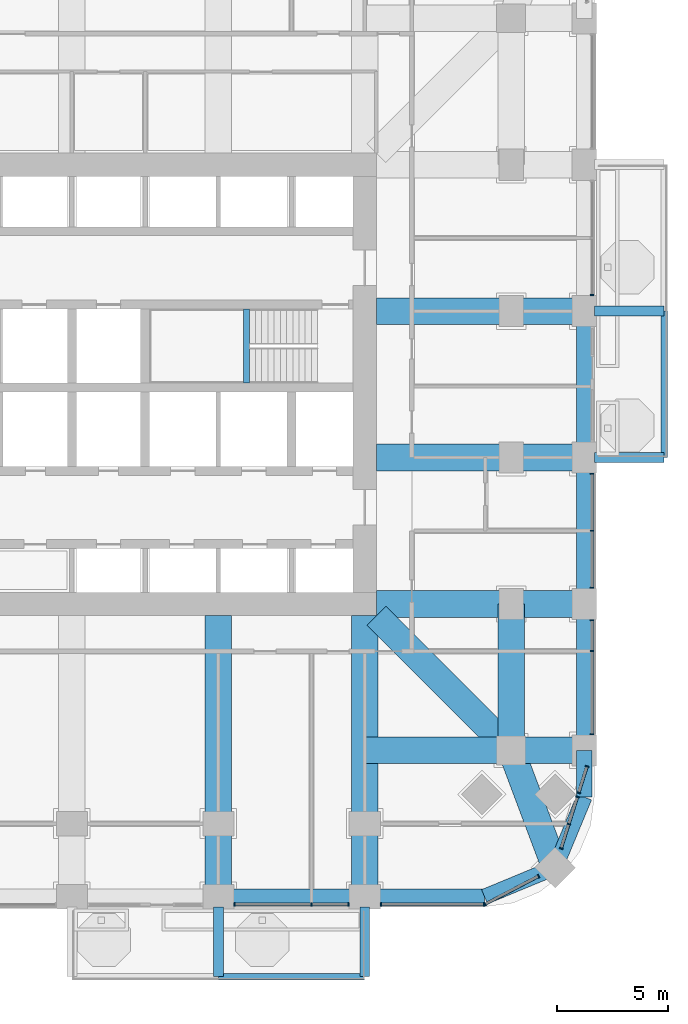
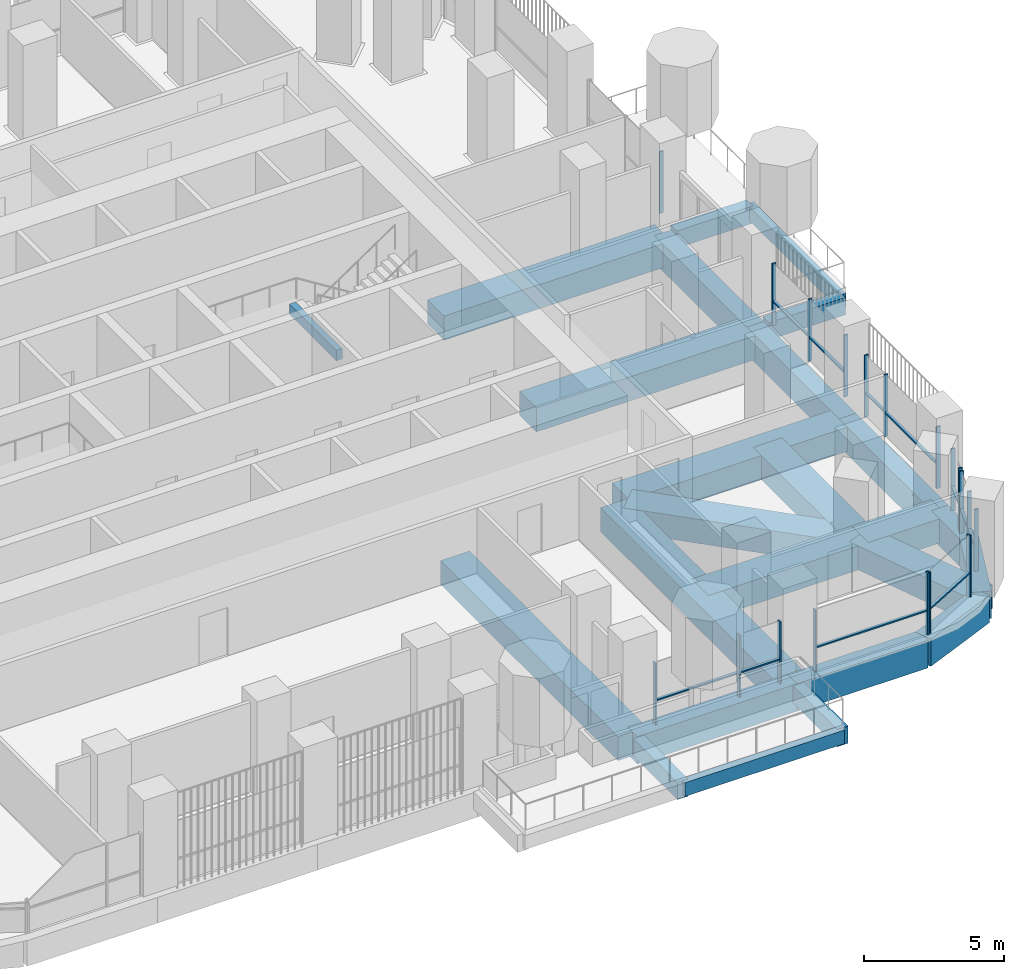
# One storey, part 5 of 22: 30 members, 25 beams, 8 elements without a shape of their own.
"""IFC4 building model written with IfcOpenShell, lengths in metres."""

from ifc_helpers import new_model, si_unit, direction, frame, origin, origin_2d, place, context, subcontext, project, spatial, rectangle, extrude, material, material_profile, profile_set, type_object, element, aggregate, save


model = new_model("IFC4")

# Units and contexts
model_context = context("Model", 3, precision=1e-05, world=origin(), true_north=direction((0.0, 1.0)))
body_context = subcontext(model_context, "Body", "Model", "MODEL_VIEW")
ifc_project = project(units=[si_unit("LENGTHUNIT", "METRE"), si_unit("AREAUNIT", "SQUARE_METRE"), si_unit("VOLUMEUNIT", "CUBIC_METRE"), si_unit("PLANEANGLEUNIT", "RADIAN"), si_unit("MASSUNIT", "GRAM", prefix="KILO")], contexts=[model_context])

# Site, building, storey
site_placement = place(None, origin())
site = spatial("IfcSite", under=ifc_project, at=site_placement, CompositionType="ELEMENT")
building_placement = place(site_placement, origin())
building = spatial("IfcBuilding", under=site, at=building_placement, Name="Cobogo Forest Laboratory Tower", CompositionType="ELEMENT")
storey_placement = place(building_placement, frame((0.0, 0.0, 120.0)))
storey = spatial("IfcBuildingStorey", under=building, at=storey_placement, Name="L27", CompositionType="ELEMENT", Elevation=120.0)

# Beams
ifc_material_1 = material(Name="Concrete HA-40 (C40/50)", Category="concrete")
ifc_material_profile_1 = material_profile(ifc_material_1, rectangle(XDim=0.449951171875, YDim=0.75, at=origin_2d()), Name="RC 450x750")
ifc_profile_set_1 = profile_set([ifc_material_profile_1], Name="Concrete HA-40 (C40/50)")
beam_type_1 = type_object("IfcBeamType", Name="Balcony cantilever beam 450x750", PredefinedType="BEAM", material=ifc_profile_set_1)
for number, where, z_axis, x_axis, name in (
    (1, (33.0, -0.449951171875, -0.625), (0.0, -1.0, 0.0), (1.0, 0.0, 0.0), "CB1 BAL-S1-C2 L27"),
    (2, (39.60009765625, -0.449951171875, -0.625), (0.0, -1.0, 0.0), (1.0, 0.0, 0.0), "CB1 BAL-S1-C3 L27"),
    (3, (49.949951171875, 19.800048828125, -0.625), (1.0, 0.0, 0.0), (0.0, 1.0, 0.0), "CB1 BAL-E1-C1 L27"),
    (4, (49.949951171875, 26.39990234375, -0.625), (1.0, 0.0, 0.0), (0.0, 1.0, 0.0), "CB1 BAL-E1-C2 L27"),
):
    element("IfcBeam", number, at=place(storey_placement, frame(where, z_axis=z_axis, x_axis=x_axis)), inside=storey, type_object=beam_type_1, Name=name, PredefinedType="BEAM", context=body_context, shape_type="SweptSolid", body=[
        extrude(rectangle(XDim=0.449951171875, YDim=0.75, at=origin_2d()), origin(), (0.0, 0.0, 1.0), 3.150146484375),
    ])
ifc_material_profile_2 = material_profile(ifc_material_1, rectangle(XDim=0.300048828125, YDim=0.60009765625, at=origin_2d()), Name="RC 300x600")
ifc_profile_set_2 = profile_set([ifc_material_profile_2], Name="Concrete HA-40 (C40/50)")
beam_type_2 = type_object("IfcBeamType", Name="Balcony edge beam 300x600", PredefinedType="BEAM", material=ifc_profile_set_2)
beam_1_placement = place(storey_placement, frame((33.0, -3.60009765625, -0.550048828125), z_axis=(1.0, 0.0, 0.0), x_axis=(0.0, 1.0, 0.0)))
element("IfcBeam", 5, at=beam_1_placement, inside=storey, type_object=beam_type_2, Name="BB1 BAL-S1-T2 L27", PredefinedType="BEAM", context=body_context, shape_type="SweptSolid", body=[
    extrude(rectangle(XDim=0.300048828125, YDim=0.60009765625, at=origin_2d()), origin(), (0.0, 0.0, 1.0), 6.60009765625),
])
beam_2_placement = place(storey_placement, frame((53.10009765625, 19.800048828125, -0.550048828125), z_axis=(0.0, 1.0, 0.0), x_axis=(-1.0, 0.0, 0.0)))
element("IfcBeam", 6, at=beam_2_placement, inside=storey, type_object=beam_type_2, Name="BB1 BAL-E1-T1 L27", PredefinedType="BEAM", context=body_context, shape_type="SweptSolid", body=[
    extrude(rectangle(XDim=0.300048828125, YDim=0.60009765625, at=origin_2d()), origin(), (0.0, 0.0, 1.0), 6.599853515625),
])
ifc_material_profile_3 = material_profile(ifc_material_1, rectangle(XDim=0.25, YDim=0.449951171875, at=origin_2d()), Name="RC 250x450")
ifc_profile_set_3 = profile_set([ifc_material_profile_3], Name="Concrete HA-40 (C40/50)")
beam_type_3 = type_object("IfcBeamType", Name="LB1 landing beam 250x450", PredefinedType="BEAM", material=ifc_profile_set_3)
beam_3_placement = place(storey_placement, frame((34.27001953125, 23.14990234375, 1.675048828125), z_axis=(0.0, 1.0, 0.0), x_axis=(-1.0, 0.0, 0.0)))
element("IfcBeam", 7, at=beam_3_placement, inside=storey, type_object=beam_type_3, Name="Landing beam ST2 L27", PredefinedType="BEAM", context=body_context, shape_type="SweptSolid", body=[
    extrude(rectangle(XDim=0.25, YDim=0.449951171875, at=origin_2d()), origin(), (0.0, 0.0, 1.0), 3.35009765625),
])
ifc_material_profile_4 = material_profile(ifc_material_1, rectangle(XDim=1.199951171875, YDim=1.050048828125, at=origin_2d()), Name="RC 1200x1050")
ifc_profile_set_4 = profile_set([ifc_material_profile_4], Name="Concrete HA-40 (C40/50)")
beam_type_4 = type_object("IfcBeamType", Name="Laboratory floor wide beam 1200x1050", PredefinedType="BEAM", material=ifc_profile_set_4)
for number, where, z_axis, x_axis, name in (
    (8, (33.0, 12.675048828125, -0.824951171875), (0.0, -1.0, 0.0), (1.0, 0.0, 0.0), "RB1 R-6-S L27"),
    (9, (39.60009765625, 12.675048828125, -0.824951171875), (0.0, -1.0, 0.0), (1.0, 0.0, 0.0), "RB1 R-7-S L27"),
):
    element("IfcBeam", number, at=place(storey_placement, frame(where, z_axis=z_axis, x_axis=x_axis)), inside=storey, type_object=beam_type_4, Name=name, PredefinedType="BEAM", context=body_context, shape_type="SweptSolid", body=[
        extrude(rectangle(XDim=1.199951171875, YDim=1.050048828125, at=origin_2d()), origin(), (0.0, 0.0, 1.0), 12.675048828125),
    ])
for number, where, z_axis, x_axis, name in (
    (10, (40.125, 13.199951171875, -0.824951171875), (1.0, 0.0, 0.0), (0.0, 1.0, 0.0), "RB1 R-C-E L27"),
    (11, (40.125, 19.800048828125, -0.824951171875), (1.0, 0.0, 0.0), (0.0, 1.0, 0.0), "RB1 R-D-E L27"),
    (12, (40.125, 26.39990234375, -0.824951171875), (1.0, 0.0, 0.0), (0.0, 1.0, 0.0), "RB1 R-E-E L27"),
):
    element("IfcBeam", number, at=place(storey_placement, frame(where, z_axis=z_axis, x_axis=x_axis)), inside=storey, type_object=beam_type_4, Name=name, PredefinedType="BEAM", context=body_context, shape_type="SweptSolid", body=[
        extrude(rectangle(XDim=1.199951171875, YDim=1.050048828125, at=origin_2d()), origin(), (0.0, 0.0, 1.0), 9.375),
    ])
beam_4_placement = place(storey_placement, frame((46.199951171875, 6.60009765625, -0.824951171875), z_axis=(0.0, 1.0, 0.0), x_axis=(-1.0, 0.0, 0.0)))
element("IfcBeam", 13, at=beam_4_placement, inside=storey, type_object=beam_type_4, Name="RB1 G-SE-XC L27", PredefinedType="BEAM", context=body_context, shape_type="SweptSolid", body=[
    extrude(rectangle(XDim=1.199951171875, YDim=1.050048828125, at=origin_2d()), origin(), (0.0, 0.0, 1.0), 6.599853515625),
])
beam_5_placement = place(storey_placement, frame((49.5, 6.60009765625, -0.824951171875), z_axis=(-1.0, 0.0, 0.0), x_axis=(0.0, -1.0, 0.0)))
element("IfcBeam", 14, at=beam_5_placement, inside=storey, type_object=beam_type_4, Name="RB1 G-SE-YF L27", PredefinedType="BEAM", context=body_context, shape_type="SweptSolid", body=[
    extrude(rectangle(XDim=1.199951171875, YDim=1.050048828125, at=origin_2d()), origin(), (0.0, 0.0, 1.0), 3.300048828125),
])
beam_6_placement = place(storey_placement, frame((46.199951171875, 6.60009765625, -0.824951171875), z_axis=(-1.0, 0.0, 0.0), x_axis=(0.0, -1.0, 0.0)))
element("IfcBeam", 15, at=beam_6_placement, inside=storey, type_object=beam_type_4, Name="RB1 G-SE-YC L27", PredefinedType="BEAM", context=body_context, shape_type="SweptSolid", body=[
    extrude(rectangle(XDim=1.199951171875, YDim=1.050048828125, at=origin_2d()), origin(), (0.0, 0.0, 1.0), 6.599853515625),
])
beam_7_placement = place(storey_placement, frame((48.181884765625, 1.318115234375, -0.824951171875), z_axis=(-0.351308391925, 0.936259800356, 0.0), x_axis=(-0.936259800356, -0.351308391925, 0.0)))
element("IfcBeam", 16, at=beam_7_placement, inside=storey, type_object=beam_type_4, Name="RB1 G-SE-D1 L27", PredefinedType="BEAM", context=body_context, shape_type="SweptSolid", body=[
    extrude(rectangle(XDim=1.199951171875, YDim=1.050048828125, at=origin_2d()), origin(), (0.0, 0.0, 1.0), 5.6416015625),
])
beam_8_placement = place(storey_placement, frame((46.199951171875, 6.60009765625, -0.824951171875), z_axis=(-0.707106781187, 0.707106781187, 0.0), x_axis=(-0.707106781187, -0.707106781187, 0.0)))
element("IfcBeam", 17, at=beam_8_placement, inside=storey, type_object=beam_type_4, Name="RB1 G-SE-D2 L27", PredefinedType="BEAM", context=body_context, shape_type="SweptSolid", body=[
    extrude(rectangle(XDim=1.199951171875, YDim=1.050048828125, at=origin_2d()), origin(), (0.0, 0.0, 1.0), 8.59130859375),
])

# Curtain wall, members
ifc_material_2 = material(Name="Aluminium curtain wall", Category="aluminium")
curtain_wall_type = type_object("IfcCurtainWallType", Name="CW-1 unitised curtain wall, clear glazing, laboratory floors zones A and B", PredefinedType="USERDEFINED", material=ifc_material_2)
curtain_wall_1_placement = place(storey_placement, origin())
curtain_wall_1 = element("IfcCurtainWall", 18, at=curtain_wall_1_placement, inside=storey, type_object=curtain_wall_type, Name="Curtain wall 05 L27", ObjectType="UNITISED CURTAIN WALL", PredefinedType="USERDEFINED")
ifc_material_3 = material(Name="Aluminium mullion", Category="aluminium")
ifc_material_profile_5 = material_profile(ifc_material_3, rectangle(XDim=0.06005859375, YDim=0.159912109375, at=origin_2d()), Name="AL 60x160")
ifc_profile_set_5 = profile_set([ifc_material_profile_5], Name="Aluminium mullion")
member_type_1 = type_object("IfcMemberType", Name="MU-1 aluminium mullion 60x160", PredefinedType="MULLION", material=ifc_profile_set_5)
member_1_placement = place(storey_placement, frame((33.72998046875, -0.35009765625, 0.0), z_axis=(0.0, 0.0, 1.0), x_axis=(1.0, 0.0, 0.0)))
member_1 = element("IfcMember", 19, at=member_1_placement, type_object=member_type_1, Name="CW-1 mullion 1", PredefinedType="MULLION", context=body_context, shape_type="SweptSolid", body=[
    extrude(rectangle(XDim=0.06005859375, YDim=0.159912109375, at=origin_2d()), origin(), (0.0, 0.0, 1.0), 2.699951171875),
])
member_2_placement = place(storey_placement, frame((37.199951171875, -0.35009765625, 0.0), z_axis=(0.0, 0.0, 1.0), x_axis=(1.0, 0.0, 0.0)))
member_2 = element("IfcMember", 20, at=member_2_placement, type_object=member_type_1, Name="CW-1 mullion 2", PredefinedType="MULLION", context=body_context, shape_type="SweptSolid", body=[
    extrude(rectangle(XDim=0.06005859375, YDim=0.159912109375, at=origin_2d()), origin(), (0.0, 0.0, 1.0), 2.699951171875),
])
member_3_placement = place(storey_placement, frame((38.8701171875, -0.35009765625, 0.0), z_axis=(0.0, 0.0, 1.0), x_axis=(1.0, 0.0, 0.0)))
member_3 = element("IfcMember", 21, at=member_3_placement, type_object=member_type_1, Name="CW-1 mullion 3", PredefinedType="MULLION", context=body_context, shape_type="SweptSolid", body=[
    extrude(rectangle(XDim=0.06005859375, YDim=0.159912109375, at=origin_2d()), origin(), (0.0, 0.0, 1.0), 2.699951171875),
])

curtain_wall_2_placement = place(storey_placement, origin())
curtain_wall_2 = element("IfcCurtainWall", 22, at=curtain_wall_2_placement, inside=storey, type_object=curtain_wall_type, Name="Curtain wall 06 L27", ObjectType="UNITISED CURTAIN WALL", PredefinedType="USERDEFINED")
member_4_placement = place(storey_placement, frame((40.330078125, -0.35009765625, 0.0), z_axis=(0.0, 0.0, 1.0), x_axis=(1.0, 0.0, 0.0)))
member_4 = element("IfcMember", 23, at=member_4_placement, type_object=member_type_1, Name="CW-1 mullion 1", PredefinedType="MULLION", context=body_context, shape_type="SweptSolid", body=[
    extrude(rectangle(XDim=0.06005859375, YDim=0.159912109375, at=origin_2d()), origin(), (0.0, 0.0, 1.0), 2.699951171875),
])
member_5_placement = place(storey_placement, frame((44.969970703125, -0.35009765625, 0.0), z_axis=(0.0, 0.0, 1.0), x_axis=(1.0, 0.0, 0.0)))
member_5 = element("IfcMember", 24, at=member_5_placement, type_object=member_type_1, Name="CW-1 mullion 2", PredefinedType="MULLION", context=body_context, shape_type="SweptSolid", body=[
    extrude(rectangle(XDim=0.06005859375, YDim=0.159912109375, at=origin_2d()), origin(), (0.0, 0.0, 1.0), 2.699951171875),
])

curtain_wall_3_placement = place(storey_placement, origin())
curtain_wall_3 = element("IfcCurtainWall", 25, at=curtain_wall_3_placement, inside=storey, type_object=curtain_wall_type, Name="Curtain wall 07 L27", ObjectType="UNITISED CURTAIN WALL", PredefinedType="USERDEFINED")
member_6_placement = place(storey_placement, frame((45.026611328125, -0.336181640625, 0.0), z_axis=(0.0, 0.0, 1.0), x_axis=(0.885686547075, 0.464283685186, 0.0)))
member_6 = element("IfcMember", 26, at=member_6_placement, type_object=member_type_1, Name="CW-1 mullion 1", PredefinedType="MULLION", context=body_context, shape_type="SweptSolid", body=[
    extrude(rectangle(XDim=0.06005859375, YDim=0.159912109375, at=origin_2d()), origin(), (0.0, 0.0, 1.0), 2.699951171875),
])
member_7_placement = place(storey_placement, frame((47.431640625, 0.9248046875, 0.0), z_axis=(0.0, 0.0, 1.0), x_axis=(0.885686547075, 0.464283685186, 0.0)))
member_7 = element("IfcMember", 27, at=member_7_placement, type_object=member_type_1, Name="CW-1 mullion 2", PredefinedType="MULLION", context=body_context, shape_type="SweptSolid", body=[
    extrude(rectangle(XDim=0.06005859375, YDim=0.159912109375, at=origin_2d()), origin(), (0.0, 0.0, 1.0), 2.699951171875),
])

curtain_wall_4_placement = place(storey_placement, origin())
curtain_wall_4 = element("IfcCurtainWall", 28, at=curtain_wall_4_placement, inside=storey, type_object=curtain_wall_type, Name="Curtain wall 08 L27", ObjectType="UNITISED CURTAIN WALL", PredefinedType="USERDEFINED")
member_8_placement = place(storey_placement, frame((48.455810546875, 2.18505859375, 0.0), z_axis=(0.0, 0.0, 1.0), x_axis=(0.301135291996, 0.953581425949, 0.0)))
member_8 = element("IfcMember", 29, at=member_8_placement, type_object=member_type_1, Name="CW-1 mullion 1", PredefinedType="MULLION", context=body_context, shape_type="SweptSolid", body=[
    extrude(rectangle(XDim=0.06005859375, YDim=0.159912109375, at=origin_2d()), origin(), (0.0, 0.0, 1.0), 2.699951171875),
])
member_9_placement = place(storey_placement, frame((48.80029296875, 3.27587890625, 0.0), z_axis=(0.0, 0.0, 1.0), x_axis=(0.301135291996, 0.953581425949, 0.0)))
member_9 = element("IfcMember", 30, at=member_9_placement, type_object=member_type_1, Name="CW-1 mullion 2", PredefinedType="MULLION", context=body_context, shape_type="SweptSolid", body=[
    extrude(rectangle(XDim=0.06005859375, YDim=0.159912109375, at=origin_2d()), origin(), (0.0, 0.0, 1.0), 2.699951171875),
])
member_10_placement = place(storey_placement, frame((49.18701171875, 4.500244140625, 0.0), z_axis=(0.0, 0.0, 1.0), x_axis=(0.301135291996, 0.953581425949, 0.0)))
member_10 = element("IfcMember", 31, at=member_10_placement, type_object=member_type_1, Name="CW-1 mullion 3", PredefinedType="MULLION", context=body_context, shape_type="SweptSolid", body=[
    extrude(rectangle(XDim=0.06005859375, YDim=0.159912109375, at=origin_2d()), origin(), (0.0, 0.0, 1.0), 2.699951171875),
])

curtain_wall_5_placement = place(storey_placement, origin())
curtain_wall_5 = element("IfcCurtainWall", 32, at=curtain_wall_5_placement, inside=storey, type_object=curtain_wall_type, Name="Curtain wall 09 L27", ObjectType="UNITISED CURTAIN WALL", PredefinedType="USERDEFINED")
member_11_placement = place(storey_placement, frame((49.247802734375, 4.69287109375, 0.0), z_axis=(0.0, 0.0, 1.0), x_axis=(0.301135356805, 0.953581405483, 0.0)))
member_11 = element("IfcMember", 33, at=member_11_placement, type_object=member_type_1, Name="CW-1 mullion 1", PredefinedType="MULLION", context=body_context, shape_type="SweptSolid", body=[
    extrude(rectangle(XDim=0.06005859375, YDim=0.159912109375, at=origin_2d()), origin(), (0.0, 0.0, 1.0), 2.699951171875),
])
member_12_placement = place(storey_placement, frame((49.619873046875, 5.871337890625, 0.0), z_axis=(0.0, 0.0, 1.0), x_axis=(0.301135356805, 0.953581405483, 0.0)))
member_12 = element("IfcMember", 34, at=member_12_placement, type_object=member_type_1, Name="CW-1 mullion 2", PredefinedType="MULLION", context=body_context, shape_type="SweptSolid", body=[
    extrude(rectangle(XDim=0.06005859375, YDim=0.159912109375, at=origin_2d()), origin(), (0.0, 0.0, 1.0), 2.699951171875),
])

curtain_wall_6_placement = place(storey_placement, origin())
curtain_wall_6 = element("IfcCurtainWall", 35, at=curtain_wall_6_placement, inside=storey, type_object=curtain_wall_type, Name="Curtain wall 10 L27", ObjectType="UNITISED CURTAIN WALL", PredefinedType="USERDEFINED")
member_13_placement = place(storey_placement, frame((49.85009765625, 7.330078125, 0.0), z_axis=(0.0, 0.0, 1.0), x_axis=(0.0, 1.0, 0.0)))
member_13 = element("IfcMember", 36, at=member_13_placement, type_object=member_type_1, Name="CW-1 mullion 1", PredefinedType="MULLION", context=body_context, shape_type="SweptSolid", body=[
    extrude(rectangle(XDim=0.06005859375, YDim=0.159912109375, at=origin_2d()), origin(), (0.0, 0.0, 1.0), 2.699951171875),
])
member_14_placement = place(storey_placement, frame((49.85009765625, 11.074951171875, 0.0), z_axis=(0.0, 0.0, 1.0), x_axis=(0.0, 1.0, 0.0)))
member_14 = element("IfcMember", 37, at=member_14_placement, type_object=member_type_1, Name="CW-1 mullion 2", PredefinedType="MULLION", context=body_context, shape_type="SweptSolid", body=[
    extrude(rectangle(XDim=0.06005859375, YDim=0.159912109375, at=origin_2d()), origin(), (0.0, 0.0, 1.0), 2.699951171875),
])
member_15_placement = place(storey_placement, frame((49.85009765625, 12.469970703125, 0.0), z_axis=(0.0, 0.0, 1.0), x_axis=(0.0, 1.0, 0.0)))
member_15 = element("IfcMember", 38, at=member_15_placement, type_object=member_type_1, Name="CW-1 mullion 3", PredefinedType="MULLION", context=body_context, shape_type="SweptSolid", body=[
    extrude(rectangle(XDim=0.06005859375, YDim=0.159912109375, at=origin_2d()), origin(), (0.0, 0.0, 1.0), 2.699951171875),
])

curtain_wall_7_placement = place(storey_placement, origin())
curtain_wall_7 = element("IfcCurtainWall", 39, at=curtain_wall_7_placement, inside=storey, type_object=curtain_wall_type, Name="Curtain wall 11 L27", ObjectType="UNITISED CURTAIN WALL", PredefinedType="USERDEFINED")
member_16_placement = place(storey_placement, frame((49.85009765625, 13.929931640625, 0.0), z_axis=(0.0, 0.0, 1.0), x_axis=(0.0, 1.0, 0.0)))
member_16 = element("IfcMember", 40, at=member_16_placement, type_object=member_type_1, Name="CW-1 mullion 1", PredefinedType="MULLION", context=body_context, shape_type="SweptSolid", body=[
    extrude(rectangle(XDim=0.06005859375, YDim=0.159912109375, at=origin_2d()), origin(), (0.0, 0.0, 1.0), 2.699951171875),
])
member_17_placement = place(storey_placement, frame((49.85009765625, 16.5, 0.0), z_axis=(0.0, 0.0, 1.0), x_axis=(0.0, 1.0, 0.0)))
member_17 = element("IfcMember", 41, at=member_17_placement, type_object=member_type_1, Name="CW-1 mullion 2", PredefinedType="MULLION", context=body_context, shape_type="SweptSolid", body=[
    extrude(rectangle(XDim=0.06005859375, YDim=0.159912109375, at=origin_2d()), origin(), (0.0, 0.0, 1.0), 2.699951171875),
])
member_18_placement = place(storey_placement, frame((49.85009765625, 19.070068359375, 0.0), z_axis=(0.0, 0.0, 1.0), x_axis=(0.0, 1.0, 0.0)))
member_18 = element("IfcMember", 42, at=member_18_placement, type_object=member_type_1, Name="CW-1 mullion 3", PredefinedType="MULLION", context=body_context, shape_type="SweptSolid", body=[
    extrude(rectangle(XDim=0.06005859375, YDim=0.159912109375, at=origin_2d()), origin(), (0.0, 0.0, 1.0), 2.699951171875),
])

# Curtain wall, member
curtain_wall_8_placement = place(storey_placement, origin())
curtain_wall_8 = element("IfcCurtainWall", 43, at=curtain_wall_8_placement, inside=storey, type_object=curtain_wall_type, Name="Curtain wall 13 L27", ObjectType="UNITISED CURTAIN WALL", PredefinedType="USERDEFINED")
member_19_placement = place(storey_placement, frame((49.85009765625, 27.1298828125, 0.0), z_axis=(0.0, 0.0, 1.0), x_axis=(0.0, 1.0, 0.0)))
member_19 = element("IfcMember", 44, at=member_19_placement, type_object=member_type_1, Name="CW-1 mullion 1", PredefinedType="MULLION", context=body_context, shape_type="SweptSolid", body=[
    extrude(rectangle(XDim=0.06005859375, YDim=0.159912109375, at=origin_2d()), origin(), (0.0, 0.0, 1.0), 2.699951171875),
])
aggregate(curtain_wall_8, [member_19])

# Beams
ifc_material_profile_6 = material_profile(ifc_material_1, rectangle(XDim=0.699951171875, YDim=1.199951171875, at=origin_2d()), Name="RC 700x1200")
ifc_profile_set_6 = profile_set([ifc_material_profile_6], Name="Concrete HA-40 (C40/50)")
beam_type_5 = type_object("IfcBeamType", Name="Perimeter edge beam 700x1200", PredefinedType="BEAM", material=ifc_profile_set_6)
beam_9_placement = place(storey_placement, frame((33.0, 0.0, -0.89990234375), z_axis=(1.0, 0.0, 0.0), x_axis=(0.0, 1.0, 0.0)))
element("IfcBeam", 45, at=beam_9_placement, inside=storey, type_object=beam_type_5, Name="EB1 E-S4 L27", PredefinedType="BEAM", context=body_context, shape_type="SweptSolid", body=[
    extrude(rectangle(XDim=0.699951171875, YDim=1.199951171875, at=origin_2d()), origin(), (0.0, 0.0, 1.0), 6.60009765625),
])
beam_10_placement = place(storey_placement, frame((49.5, 6.60009765625, -0.89990234375), z_axis=(0.0, 1.0, 0.0), x_axis=(-1.0, 0.0, 0.0)))
element("IfcBeam", 46, at=beam_10_placement, inside=storey, type_object=beam_type_5, Name="EB1 E-E1 L27", PredefinedType="BEAM", context=body_context, shape_type="SweptSolid", body=[
    extrude(rectangle(XDim=0.699951171875, YDim=1.199951171875, at=origin_2d()), origin(), (0.0, 0.0, 1.0), 6.599853515625),
])
beam_11_placement = place(storey_placement, frame((49.5, 13.199951171875, -0.89990234375), z_axis=(0.0, 1.0, 0.0), x_axis=(-1.0, 0.0, 0.0)))
element("IfcBeam", 47, at=beam_11_placement, inside=storey, type_object=beam_type_5, Name="EB1 E-E2 L27", PredefinedType="BEAM", context=body_context, shape_type="SweptSolid", body=[
    extrude(rectangle(XDim=0.699951171875, YDim=1.199951171875, at=origin_2d()), origin(), (0.0, 0.0, 1.0), 6.60009765625),
])
beam_12_placement = place(storey_placement, frame((49.5, 19.800048828125, -0.89990234375), z_axis=(0.0, 1.0, 0.0), x_axis=(-1.0, 0.0, 0.0)))
element("IfcBeam", 48, at=beam_12_placement, inside=storey, type_object=beam_type_5, Name="EB1 E-E3 L27", PredefinedType="BEAM", context=body_context, shape_type="SweptSolid", body=[
    extrude(rectangle(XDim=0.699951171875, YDim=1.199951171875, at=origin_2d()), origin(), (0.0, 0.0, 1.0), 6.599853515625),
])
beam_13_placement = place(storey_placement, frame((39.60009765625, 0.0, -0.89990234375), z_axis=(1.0, 0.0, 0.0), x_axis=(0.0, 1.0, 0.0)))
element("IfcBeam", 49, at=beam_13_placement, inside=storey, type_object=beam_type_5, Name="EB1 E-SES1 L27", PredefinedType="BEAM", context=body_context, shape_type="SweptSolid", body=[
    extrude(rectangle(XDim=0.699951171875, YDim=1.199951171875, at=origin_2d()), origin(), (0.0, 0.0, 1.0), 5.39990234375),
])
beam_14_placement = place(storey_placement, frame((45.0, 0.0, -0.89990234375), z_axis=(0.923865631356, 0.382716990999, 0.0), x_axis=(-0.382716990999, 0.923865631356, 0.0)))
element("IfcBeam", 50, at=beam_14_placement, inside=storey, type_object=beam_type_5, Name="EB1 E-SES2 L27", PredefinedType="BEAM", context=body_context, shape_type="SweptSolid", body=[
    extrude(rectangle(XDim=0.699951171875, YDim=1.199951171875, at=origin_2d()), origin(), (0.0, 0.0, 1.0), 3.444091796875),
])
beam_15_placement = place(storey_placement, frame((49.5, 6.60009765625, -0.89990234375), z_axis=(0.0, -1.0, 0.0), x_axis=(1.0, 0.0, 0.0)))
element("IfcBeam", 51, at=beam_15_placement, inside=storey, type_object=beam_type_5, Name="EB1 E-SEE1 L27", PredefinedType="BEAM", context=body_context, shape_type="SweptSolid", body=[
    extrude(rectangle(XDim=0.699951171875, YDim=1.199951171875, at=origin_2d()), origin(), (0.0, 0.0, 1.0), 2.10009765625),
])
beam_16_placement = place(storey_placement, frame((49.5, 4.5, -0.89990234375), z_axis=(-0.382716990999, -0.923865631356, 0.0), x_axis=(0.923865631356, -0.382716990999, 0.0)))
element("IfcBeam", 52, at=beam_16_placement, inside=storey, type_object=beam_type_5, Name="EB1 E-SEE2 L27", PredefinedType="BEAM", context=body_context, shape_type="SweptSolid", body=[
    extrude(rectangle(XDim=0.699951171875, YDim=1.199951171875, at=origin_2d()), origin(), (0.0, 0.0, 1.0), 3.444091796875),
])

# Member
ifc_material_4 = material(Name="Aluminium transom", Category="aluminium")
ifc_material_profile_7 = material_profile(ifc_material_4, rectangle(XDim=0.1201171875, YDim=0.06005859375, at=origin_2d()), Name="AL 60x120")
ifc_profile_set_7 = profile_set([ifc_material_profile_7], Name="Aluminium transom")
member_type_2 = type_object("IfcMemberType", Name="TR-1 aluminium transom 60x120", PredefinedType="USERDEFINED", material=ifc_profile_set_7)
member_20_placement = place(storey_placement, frame((33.760009765625, -0.35009765625, 1.050048828125), z_axis=(1.0, 0.0, 0.0), x_axis=(0.0, 1.0, 0.0)))
member_20 = element("IfcMember", 53, at=member_20_placement, type_object=member_type_2, Name="CW-1 transom 1.1", ObjectType="TRANSOM", PredefinedType="USERDEFINED", context=body_context, shape_type="SweptSolid", body=[
    extrude(rectangle(XDim=0.1201171875, YDim=0.06005859375, at=origin_2d()), origin(), (0.0, 0.0, 1.0), 3.409912109375),
])

member_21_placement = place(storey_placement, frame((37.22998046875, -0.35009765625, 1.050048828125), z_axis=(1.0, 0.0, 0.0), x_axis=(0.0, 1.0, 0.0)))
member_21 = element("IfcMember", 54, at=member_21_placement, type_object=member_type_2, Name="CW-1 transom 2.1", ObjectType="TRANSOM", PredefinedType="USERDEFINED", context=body_context, shape_type="SweptSolid", body=[
    extrude(rectangle(XDim=0.1201171875, YDim=0.06005859375, at=origin_2d()), origin(), (0.0, 0.0, 1.0), 1.610107421875),
])

aggregate(curtain_wall_1, [member_1, member_2, member_3, member_20, member_21])

member_22_placement = place(storey_placement, frame((40.360107421875, -0.35009765625, 1.050048828125), z_axis=(1.0, 0.0, 0.0), x_axis=(0.0, 1.0, 0.0)))
member_22 = element("IfcMember", 55, at=member_22_placement, type_object=member_type_2, Name="CW-1 transom 1.1", ObjectType="TRANSOM", PredefinedType="USERDEFINED", context=body_context, shape_type="SweptSolid", body=[
    extrude(rectangle(XDim=0.1201171875, YDim=0.06005859375, at=origin_2d()), origin(), (0.0, 0.0, 1.0), 4.579833984375),
])

aggregate(curtain_wall_2, [member_4, member_5, member_22])

member_23_placement = place(storey_placement, frame((45.05322265625, -0.322021484375, 1.050048828125), z_axis=(0.885674922116, 0.464305860758, 0.0), x_axis=(-0.464305860758, 0.885674922116, 0.0)))
member_23 = element("IfcMember", 56, at=member_23_placement, type_object=member_type_2, Name="CW-1 transom 1.1", ObjectType="TRANSOM", PredefinedType="USERDEFINED", context=body_context, shape_type="SweptSolid", body=[
    extrude(rectangle(XDim=0.1201171875, YDim=0.06005859375, at=origin_2d()), origin(), (0.0, 0.0, 1.0), 2.6552734375),
])

aggregate(curtain_wall_3, [member_6, member_7, member_23])

member_24_placement = place(storey_placement, frame((48.46484375, 2.213623046875, 1.050048828125), z_axis=(0.301120589075, 0.953586068918, 0.0), x_axis=(-0.953586068918, 0.301120589075, 0.0)))
member_24 = element("IfcMember", 57, at=member_24_placement, type_object=member_type_2, Name="CW-1 transom 1.1", ObjectType="TRANSOM", PredefinedType="USERDEFINED", context=body_context, shape_type="SweptSolid", body=[
    extrude(rectangle(XDim=0.1201171875, YDim=0.06005859375, at=origin_2d()), origin(), (0.0, 0.0, 1.0), 1.083984375),
])

member_25_placement = place(storey_placement, frame((48.809326171875, 3.304443359375, 1.050048828125), z_axis=(0.301169549566, 0.953570606937, 0.0), x_axis=(-0.953570606937, 0.301169549566, 0.0)))
member_25 = element("IfcMember", 58, at=member_25_placement, type_object=member_type_2, Name="CW-1 transom 2.1", ObjectType="TRANSOM", PredefinedType="USERDEFINED", context=body_context, shape_type="SweptSolid", body=[
    extrude(rectangle(XDim=0.1201171875, YDim=0.06005859375, at=origin_2d()), origin(), (0.0, 0.0, 1.0), 1.22412109375),
])

aggregate(curtain_wall_4, [member_8, member_9, member_10, member_24, member_25])

member_26_placement = place(storey_placement, frame((49.2568359375, 4.7216796875, 1.050048828125), z_axis=(0.301111490799, 0.953588941897, 0.0), x_axis=(-0.953588941897, 0.301111490799, 0.0)))
member_26 = element("IfcMember", 59, at=member_26_placement, type_object=member_type_2, Name="CW-1 transom 1.1", ObjectType="TRANSOM", PredefinedType="USERDEFINED", context=body_context, shape_type="SweptSolid", body=[
    extrude(rectangle(XDim=0.1201171875, YDim=0.06005859375, at=origin_2d()), origin(), (0.0, 0.0, 1.0), 1.175537109375),
])

aggregate(curtain_wall_5, [member_11, member_12, member_26])

member_27_placement = place(storey_placement, frame((49.85009765625, 7.360107421875, 1.050048828125), z_axis=(0.0, 1.0, 0.0), x_axis=(-1.0, 0.0, 0.0)))
member_27 = element("IfcMember", 60, at=member_27_placement, type_object=member_type_2, Name="CW-1 transom 1.1", ObjectType="TRANSOM", PredefinedType="USERDEFINED", context=body_context, shape_type="SweptSolid", body=[
    extrude(rectangle(XDim=0.1201171875, YDim=0.06005859375, at=origin_2d()), origin(), (0.0, 0.0, 1.0), 3.684814453125),
])

member_28_placement = place(storey_placement, frame((49.85009765625, 11.10498046875, 1.050048828125), z_axis=(0.0, 1.0, 0.0), x_axis=(-1.0, 0.0, 0.0)))
member_28 = element("IfcMember", 61, at=member_28_placement, type_object=member_type_2, Name="CW-1 transom 2.1", ObjectType="TRANSOM", PredefinedType="USERDEFINED", context=body_context, shape_type="SweptSolid", body=[
    extrude(rectangle(XDim=0.1201171875, YDim=0.06005859375, at=origin_2d()), origin(), (0.0, 0.0, 1.0), 1.3349609375),
])

aggregate(curtain_wall_6, [member_13, member_14, member_15, member_27, member_28])

member_29_placement = place(storey_placement, frame((49.85009765625, 13.9599609375, 1.050048828125), z_axis=(0.0, 1.0, 0.0), x_axis=(-1.0, 0.0, 0.0)))
member_29 = element("IfcMember", 62, at=member_29_placement, type_object=member_type_2, Name="CW-1 transom 1.1", ObjectType="TRANSOM", PredefinedType="USERDEFINED", context=body_context, shape_type="SweptSolid", body=[
    extrude(rectangle(XDim=0.1201171875, YDim=0.06005859375, at=origin_2d()), origin(), (0.0, 0.0, 1.0), 2.510009765625),
])

member_30_placement = place(storey_placement, frame((49.85009765625, 16.530029296875, 1.050048828125), z_axis=(0.0, 1.0, 0.0), x_axis=(-1.0, 0.0, 0.0)))
member_30 = element("IfcMember", 63, at=member_30_placement, type_object=member_type_2, Name="CW-1 transom 2.1", ObjectType="TRANSOM", PredefinedType="USERDEFINED", context=body_context, shape_type="SweptSolid", body=[
    extrude(rectangle(XDim=0.1201171875, YDim=0.06005859375, at=origin_2d()), origin(), (0.0, 0.0, 1.0), 2.510009765625),
])

aggregate(curtain_wall_7, [member_16, member_17, member_18, member_29, member_30])

save(model, "model.ifc")
